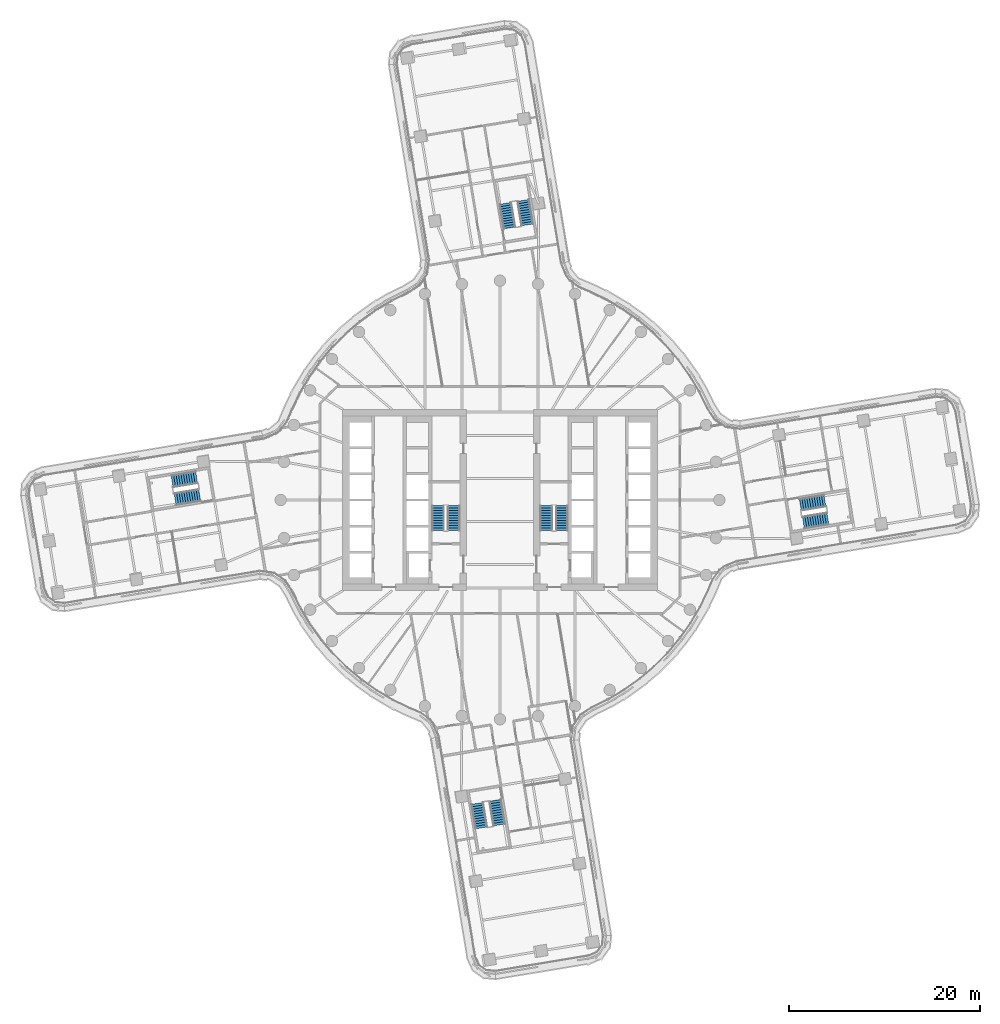
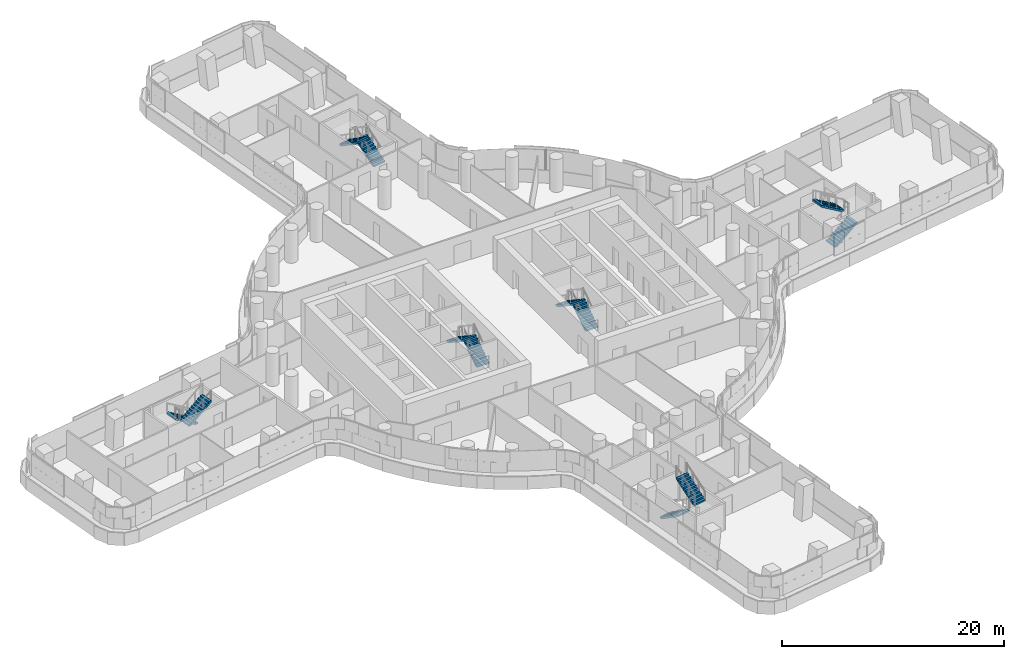
# One storey, part 25 of 32: 12 stair flights, 6 elements without a shape of their own.
"""IFC4 building model written with IfcOpenShell, lengths in metres."""

from ifc_helpers import new_model, si_unit, direction, frame, origin, place, context, subcontext, project, spatial, polyline, outline, extrude, material, type_object, element, aggregate, save


model = new_model("IFC4")

# Units and contexts
model_context = context("Model", 3, precision=1e-05, world=origin(), true_north=direction((0.0, 1.0)))
body_context = subcontext(model_context, "Body", "Model", "MODEL_VIEW")
ifc_project = project(units=[si_unit("LENGTHUNIT", "METRE"), si_unit("AREAUNIT", "SQUARE_METRE"), si_unit("VOLUMEUNIT", "CUBIC_METRE"), si_unit("PLANEANGLEUNIT", "RADIAN"), si_unit("MASSUNIT", "GRAM", prefix="KILO")], contexts=[model_context])

# Site, building, storey
site_placement = place(None, origin())
site = spatial("IfcSite", under=ifc_project, at=site_placement, CompositionType="ELEMENT")
building_placement = place(site_placement, origin())
building = spatial("IfcBuilding", under=site, at=building_placement, Name="Tamarind Cross Interchange Tower", CompositionType="ELEMENT")
storey_placement = place(building_placement, frame((0.0, 0.0, 67.75)))
storey = spatial("IfcBuildingStorey", under=building, at=storey_placement, Name="L15", CompositionType="ELEMENT", Elevation=67.75)

# Stair, stair flights
ifc_material_1 = material(Name="Exit stair")
stair_type = type_object("IfcStairType", Name="Exit stair", PredefinedType="HALF_TURN_STAIR", material=ifc_material_1)
stair_1_placement = place(storey_placement, origin())
stair_1 = element("IfcStair", 1, at=stair_1_placement, inside=storey, type_object=stair_type, Name="L15 exit stair ST1", PredefinedType="HALF_TURN_STAIR")
ifc_material_2 = material(Name="Exit stair flight")
stair_flight_type = type_object("IfcStairFlightType", Name="Exit stair flight", PredefinedType="STRAIGHT", material=ifc_material_2)
stair_flight_1_placement = place(storey_placement, frame((-4.85009765625, -3.199951171875, 0.0), z_axis=(0.0, 0.0, 1.0), x_axis=(0.0, 1.0, 0.0)))
stair_flight_1 = element("IfcStairFlight", 2, at=stair_flight_1_placement, type_object=stair_flight_type, Name="ST1 flight 1", NumberOfRisers=11, NumberOfTreads=10, PredefinedType="STRAIGHT", RiserHeight=0.170454545, TreadLength=0.26, context=body_context, shape_type="SweptSolid", body=[
    extrude(outline(polyline([(0.0, 0.0), (0.0, 0.17041015625), (0.260009765625, 0.17041015625), (0.260009765625, 0.3408203125), (0.52001953125, 0.3408203125), (0.52001953125, 0.511474609375), (0.780029296875, 0.511474609375), (0.780029296875, 0.681884765625), (1.0400390625, 0.681884765625), (1.0400390625, 0.852294921875), (1.300048828125, 0.852294921875), (1.300048828125, 1.022705078125), (1.56005859375, 1.022705078125), (1.56005859375, 1.193115234375), (1.820068359375, 1.193115234375), (1.820068359375, 1.363525390625), (2.080078125, 1.363525390625), (2.080078125, 1.5341796875), (2.340087890625, 1.5341796875), (2.340087890625, 1.70458984375), (2.60009765625, 1.70458984375), (2.60009765625, 1.875), (2.60009765625, 1.525390625), (0.2734375, 0.0), (0.0, 0.0)])), frame((0.0, 0.64990234375, 0.0), z_axis=(0.0, -1.0, 0.0), x_axis=(1.0, 0.0, 0.0)), (0.0, 0.0, 1.0), 1.300048828125),
])
stair_flight_2_placement = place(storey_placement, frame((-6.5, -0.60009765625, 1.875), z_axis=(0.0, 0.0, 1.0), x_axis=(0.0, -1.0, 0.0)))
stair_flight_2 = element("IfcStairFlight", 3, at=stair_flight_2_placement, type_object=stair_flight_type, Name="ST1 flight 2", NumberOfRisers=11, NumberOfTreads=10, PredefinedType="STRAIGHT", RiserHeight=0.170454545, TreadLength=0.26, context=body_context, shape_type="SweptSolid", body=[
    extrude(outline(polyline([(0.0, 0.0), (0.0, 0.17041015625), (0.260009765625, 0.17041015625), (0.260009765625, 0.3408203125), (0.52001953125, 0.3408203125), (0.52001953125, 0.511474609375), (0.780029296875, 0.511474609375), (0.780029296875, 0.681884765625), (1.0400390625, 0.681884765625), (1.0400390625, 0.852294921875), (1.300048828125, 0.852294921875), (1.300048828125, 1.022705078125), (1.56005859375, 1.022705078125), (1.56005859375, 1.193115234375), (1.820068359375, 1.193115234375), (1.820068359375, 1.363525390625), (2.080078125, 1.363525390625), (2.080078125, 1.5341796875), (2.340087890625, 1.5341796875), (2.340087890625, 1.70458984375), (2.60009765625, 1.70458984375), (2.60009765625, 1.7548828125), (2.612060546875, 1.7548828125), (2.612060546875, 1.533203125), (0.2734375, 0.0), (0.0, 0.0)])), frame((0.0, 0.64990234375, 0.0), z_axis=(0.0, -1.0, 0.0), x_axis=(1.0, 0.0, 0.0)), (0.0, 0.0, 1.0), 1.300048828125),
])
aggregate(stair_1, [stair_flight_1, stair_flight_2])

stair_2_placement = place(storey_placement, origin())
stair_2 = element("IfcStair", 4, at=stair_2_placement, inside=storey, type_object=stair_type, Name="L15 exit stair ST2", PredefinedType="HALF_TURN_STAIR")
stair_flight_3_placement = place(storey_placement, frame((6.5, -3.199951171875, 0.0), z_axis=(0.0, 0.0, 1.0), x_axis=(0.0, 1.0, 0.0)))
stair_flight_3 = element("IfcStairFlight", 5, at=stair_flight_3_placement, type_object=stair_flight_type, Name="ST2 flight 1", NumberOfRisers=11, NumberOfTreads=10, PredefinedType="STRAIGHT", RiserHeight=0.170454545, TreadLength=0.26, context=body_context, shape_type="SweptSolid", body=[
    extrude(outline(polyline([(0.0, 0.0), (0.0, 0.17041015625), (0.260009765625, 0.17041015625), (0.260009765625, 0.3408203125), (0.52001953125, 0.3408203125), (0.52001953125, 0.511474609375), (0.780029296875, 0.511474609375), (0.780029296875, 0.681884765625), (1.0400390625, 0.681884765625), (1.0400390625, 0.852294921875), (1.300048828125, 0.852294921875), (1.300048828125, 1.022705078125), (1.56005859375, 1.022705078125), (1.56005859375, 1.193115234375), (1.820068359375, 1.193115234375), (1.820068359375, 1.363525390625), (2.080078125, 1.363525390625), (2.080078125, 1.5341796875), (2.340087890625, 1.5341796875), (2.340087890625, 1.70458984375), (2.60009765625, 1.70458984375), (2.60009765625, 1.875), (2.60009765625, 1.525390625), (0.2734375, 0.0), (0.0, 0.0)])), frame((0.0, 0.64990234375, 0.0), z_axis=(0.0, -1.0, 0.0), x_axis=(1.0, 0.0, 0.0)), (0.0, 0.0, 1.0), 1.300048828125),
])
stair_flight_4_placement = place(storey_placement, frame((4.85009765625, -0.60009765625, 1.875), z_axis=(0.0, 0.0, 1.0), x_axis=(0.0, -1.0, 0.0)))
stair_flight_4 = element("IfcStairFlight", 6, at=stair_flight_4_placement, type_object=stair_flight_type, Name="ST2 flight 2", NumberOfRisers=11, NumberOfTreads=10, PredefinedType="STRAIGHT", RiserHeight=0.170454545, TreadLength=0.26, context=body_context, shape_type="SweptSolid", body=[
    extrude(outline(polyline([(0.0, 0.0), (0.0, 0.17041015625), (0.260009765625, 0.17041015625), (0.260009765625, 0.3408203125), (0.52001953125, 0.3408203125), (0.52001953125, 0.511474609375), (0.780029296875, 0.511474609375), (0.780029296875, 0.681884765625), (1.0400390625, 0.681884765625), (1.0400390625, 0.852294921875), (1.300048828125, 0.852294921875), (1.300048828125, 1.022705078125), (1.56005859375, 1.022705078125), (1.56005859375, 1.193115234375), (1.820068359375, 1.193115234375), (1.820068359375, 1.363525390625), (2.080078125, 1.363525390625), (2.080078125, 1.5341796875), (2.340087890625, 1.5341796875), (2.340087890625, 1.70458984375), (2.60009765625, 1.70458984375), (2.60009765625, 1.7548828125), (2.612060546875, 1.7548828125), (2.612060546875, 1.533203125), (0.2734375, 0.0), (0.0, 0.0)])), frame((0.0, 0.64990234375, 0.0), z_axis=(0.0, -1.0, 0.0), x_axis=(1.0, 0.0, 0.0)), (0.0, 0.0, 1.0), 1.300048828125),
])
aggregate(stair_2, [stair_flight_3, stair_flight_4])

stair_3_placement = place(storey_placement, origin())
stair_3 = element("IfcStair", 7, at=stair_3_placement, inside=storey, type_object=stair_type, Name="L15 exit stair ST3", PredefinedType="HALF_TURN_STAIR")
stair_flight_5_placement = place(storey_placement, frame((31.8203125, -2.37744140625, 0.0), z_axis=(0.0, 0.0, 1.0), x_axis=(0.986563038226, 0.163381062571, 0.0)))
stair_flight_5 = element("IfcStairFlight", 8, at=stair_flight_5_placement, type_object=stair_flight_type, Name="ST3 flight 1", NumberOfRisers=11, NumberOfTreads=10, PredefinedType="STRAIGHT", RiserHeight=0.170454545, TreadLength=0.26, context=body_context, shape_type="SweptSolid", body=[
    extrude(outline(polyline([(0.0, 0.0), (0.0, 0.17041015625), (0.260009765625, 0.17041015625), (0.260009765625, 0.3408203125), (0.52001953125, 0.3408203125), (0.52001953125, 0.511474609375), (0.780029296875, 0.511474609375), (0.780029296875, 0.681884765625), (1.0400390625, 0.681884765625), (1.0400390625, 0.852294921875), (1.300048828125, 0.852294921875), (1.300048828125, 1.022705078125), (1.56005859375, 1.022705078125), (1.56005859375, 1.193115234375), (1.820068359375, 1.193115234375), (1.820068359375, 1.363525390625), (2.080078125, 1.363525390625), (2.080078125, 1.5341796875), (2.340087890625, 1.5341796875), (2.340087890625, 1.70458984375), (2.60009765625, 1.70458984375), (2.60009765625, 1.875), (2.60009765625, 1.525390625), (0.2734375, 0.0), (0.0, 0.0)])), frame((0.0, 0.64990234375, 0.0), z_axis=(0.0, -1.0, 0.0), x_axis=(1.0, 0.0, 0.0)), (0.0, 0.0, 1.0), 1.300048828125),
])
stair_flight_6_placement = place(storey_placement, frame((34.074951171875, -0.078125, 1.875), z_axis=(0.0, 0.0, 1.0), x_axis=(-0.986563038226, -0.163381062571, 0.0)))
stair_flight_6 = element("IfcStairFlight", 9, at=stair_flight_6_placement, type_object=stair_flight_type, Name="ST3 flight 2", NumberOfRisers=11, NumberOfTreads=10, PredefinedType="STRAIGHT", RiserHeight=0.170454545, TreadLength=0.26, context=body_context, shape_type="SweptSolid", body=[
    extrude(outline(polyline([(0.0, 0.0), (0.0, 0.17041015625), (0.260009765625, 0.17041015625), (0.260009765625, 0.3408203125), (0.52001953125, 0.3408203125), (0.52001953125, 0.511474609375), (0.780029296875, 0.511474609375), (0.780029296875, 0.681884765625), (1.0400390625, 0.681884765625), (1.0400390625, 0.852294921875), (1.300048828125, 0.852294921875), (1.300048828125, 1.022705078125), (1.56005859375, 1.022705078125), (1.56005859375, 1.193115234375), (1.820068359375, 1.193115234375), (1.820068359375, 1.363525390625), (2.080078125, 1.363525390625), (2.080078125, 1.5341796875), (2.340087890625, 1.5341796875), (2.340087890625, 1.70458984375), (2.60009765625, 1.70458984375), (2.60009765625, 1.7548828125), (2.612060546875, 1.7548828125), (2.612060546875, 1.533203125), (0.2734375, 0.0), (0.0, 0.0)])), frame((0.0, 0.64990234375, 0.0), z_axis=(0.0, -1.0, 0.0), x_axis=(1.0, 0.0, 0.0)), (0.0, 0.0, 1.0), 1.300048828125),
])
aggregate(stair_3, [stair_flight_5, stair_flight_6])

stair_4_placement = place(storey_placement, origin())
stair_4 = element("IfcStair", 10, at=stair_4_placement, inside=storey, type_object=stair_type, Name="L15 exit stair ST4", PredefinedType="HALF_TURN_STAIR")
stair_flight_7_placement = place(storey_placement, frame((2.86767578125, 28.860595703125, 0.0), z_axis=(0.0, 0.0, 1.0), x_axis=(-0.163381062571, 0.986563038226, 0.0)))
stair_flight_7 = element("IfcStairFlight", 11, at=stair_flight_7_placement, type_object=stair_flight_type, Name="ST4 flight 1", NumberOfRisers=11, NumberOfTreads=10, PredefinedType="STRAIGHT", RiserHeight=0.170454545, TreadLength=0.26, context=body_context, shape_type="SweptSolid", body=[
    extrude(outline(polyline([(0.0, 0.0), (0.0, 0.17041015625), (0.260009765625, 0.17041015625), (0.260009765625, 0.3408203125), (0.52001953125, 0.3408203125), (0.52001953125, 0.511474609375), (0.780029296875, 0.511474609375), (0.780029296875, 0.681884765625), (1.0400390625, 0.681884765625), (1.0400390625, 0.852294921875), (1.300048828125, 0.852294921875), (1.300048828125, 1.022705078125), (1.56005859375, 1.022705078125), (1.56005859375, 1.193115234375), (1.820068359375, 1.193115234375), (1.820068359375, 1.363525390625), (2.080078125, 1.363525390625), (2.080078125, 1.5341796875), (2.340087890625, 1.5341796875), (2.340087890625, 1.70458984375), (2.60009765625, 1.70458984375), (2.60009765625, 1.875), (2.60009765625, 1.525390625), (0.2734375, 0.0), (0.0, 0.0)])), frame((0.0, 0.64990234375, 0.0), z_axis=(0.0, -1.0, 0.0), x_axis=(1.0, 0.0, 0.0)), (0.0, 0.0, 1.0), 1.300048828125),
])
stair_flight_8_placement = place(storey_placement, frame((0.568359375, 31.115234375, 1.875), z_axis=(0.0, 0.0, 1.0), x_axis=(0.163381062571, -0.986563038226, 0.0)))
stair_flight_8 = element("IfcStairFlight", 12, at=stair_flight_8_placement, type_object=stair_flight_type, Name="ST4 flight 2", NumberOfRisers=11, NumberOfTreads=10, PredefinedType="STRAIGHT", RiserHeight=0.170454545, TreadLength=0.26, context=body_context, shape_type="SweptSolid", body=[
    extrude(outline(polyline([(0.0, 0.0), (0.0, 0.17041015625), (0.260009765625, 0.17041015625), (0.260009765625, 0.3408203125), (0.52001953125, 0.3408203125), (0.52001953125, 0.511474609375), (0.780029296875, 0.511474609375), (0.780029296875, 0.681884765625), (1.0400390625, 0.681884765625), (1.0400390625, 0.852294921875), (1.300048828125, 0.852294921875), (1.300048828125, 1.022705078125), (1.56005859375, 1.022705078125), (1.56005859375, 1.193115234375), (1.820068359375, 1.193115234375), (1.820068359375, 1.363525390625), (2.080078125, 1.363525390625), (2.080078125, 1.5341796875), (2.340087890625, 1.5341796875), (2.340087890625, 1.70458984375), (2.60009765625, 1.70458984375), (2.60009765625, 1.7548828125), (2.612060546875, 1.7548828125), (2.612060546875, 1.533203125), (0.2734375, 0.0), (0.0, 0.0)])), frame((0.0, 0.64990234375, 0.0), z_axis=(0.0, -1.0, 0.0), x_axis=(1.0, 0.0, 0.0)), (0.0, 0.0, 1.0), 1.300048828125),
])
aggregate(stair_4, [stair_flight_7, stair_flight_8])

stair_5_placement = place(storey_placement, origin())
stair_5 = element("IfcStair", 13, at=stair_5_placement, inside=storey, type_object=stair_type, Name="L15 exit stair ST5", PredefinedType="HALF_TURN_STAIR")
stair_flight_9_placement = place(storey_placement, frame((-31.8203125, 2.37744140625, 0.0), z_axis=(0.0, 0.0, 1.0), x_axis=(-0.986563038226, -0.163381062571, 0.0)))
stair_flight_9 = element("IfcStairFlight", 14, at=stair_flight_9_placement, type_object=stair_flight_type, Name="ST5 flight 1", NumberOfRisers=11, NumberOfTreads=10, PredefinedType="STRAIGHT", RiserHeight=0.170454545, TreadLength=0.26, context=body_context, shape_type="SweptSolid", body=[
    extrude(outline(polyline([(0.0, 0.0), (0.0, 0.17041015625), (0.260009765625, 0.17041015625), (0.260009765625, 0.3408203125), (0.52001953125, 0.3408203125), (0.52001953125, 0.511474609375), (0.780029296875, 0.511474609375), (0.780029296875, 0.681884765625), (1.0400390625, 0.681884765625), (1.0400390625, 0.852294921875), (1.300048828125, 0.852294921875), (1.300048828125, 1.022705078125), (1.56005859375, 1.022705078125), (1.56005859375, 1.193115234375), (1.820068359375, 1.193115234375), (1.820068359375, 1.363525390625), (2.080078125, 1.363525390625), (2.080078125, 1.5341796875), (2.340087890625, 1.5341796875), (2.340087890625, 1.70458984375), (2.60009765625, 1.70458984375), (2.60009765625, 1.875), (2.60009765625, 1.525390625), (0.2734375, 0.0), (0.0, 0.0)])), frame((0.0, 0.64990234375, 0.0), z_axis=(0.0, -1.0, 0.0), x_axis=(1.0, 0.0, 0.0)), (0.0, 0.0, 1.0), 1.300048828125),
])
stair_flight_10_placement = place(storey_placement, frame((-34.074951171875, 0.078125, 1.875), z_axis=(0.0, 0.0, 1.0), x_axis=(0.986563038226, 0.163381062571, 0.0)))
stair_flight_10 = element("IfcStairFlight", 15, at=stair_flight_10_placement, type_object=stair_flight_type, Name="ST5 flight 2", NumberOfRisers=11, NumberOfTreads=10, PredefinedType="STRAIGHT", RiserHeight=0.170454545, TreadLength=0.26, context=body_context, shape_type="SweptSolid", body=[
    extrude(outline(polyline([(0.0, 0.0), (0.0, 0.17041015625), (0.260009765625, 0.17041015625), (0.260009765625, 0.3408203125), (0.52001953125, 0.3408203125), (0.52001953125, 0.511474609375), (0.780029296875, 0.511474609375), (0.780029296875, 0.681884765625), (1.0400390625, 0.681884765625), (1.0400390625, 0.852294921875), (1.300048828125, 0.852294921875), (1.300048828125, 1.022705078125), (1.56005859375, 1.022705078125), (1.56005859375, 1.193115234375), (1.820068359375, 1.193115234375), (1.820068359375, 1.363525390625), (2.080078125, 1.363525390625), (2.080078125, 1.5341796875), (2.340087890625, 1.5341796875), (2.340087890625, 1.70458984375), (2.60009765625, 1.70458984375), (2.60009765625, 1.7548828125), (2.612060546875, 1.7548828125), (2.612060546875, 1.533203125), (0.2734375, 0.0), (0.0, 0.0)])), frame((0.0, 0.64990234375, 0.0), z_axis=(0.0, -1.0, 0.0), x_axis=(1.0, 0.0, 0.0)), (0.0, 0.0, 1.0), 1.300048828125),
])
aggregate(stair_5, [stair_flight_9, stair_flight_10])

stair_6_placement = place(storey_placement, origin())
stair_6 = element("IfcStair", 16, at=stair_6_placement, inside=storey, type_object=stair_type, Name="L15 exit stair ST6", PredefinedType="HALF_TURN_STAIR")
stair_flight_11_placement = place(storey_placement, frame((-2.37744140625, -31.8203125, 0.0), z_axis=(0.0, 0.0, 1.0), x_axis=(0.163381062571, -0.986563038226, 0.0)))
stair_flight_11 = element("IfcStairFlight", 17, at=stair_flight_11_placement, type_object=stair_flight_type, Name="ST6 flight 1", NumberOfRisers=11, NumberOfTreads=10, PredefinedType="STRAIGHT", RiserHeight=0.170454545, TreadLength=0.26, context=body_context, shape_type="SweptSolid", body=[
    extrude(outline(polyline([(0.0, 0.0), (0.0, 0.17041015625), (0.260009765625, 0.17041015625), (0.260009765625, 0.3408203125), (0.52001953125, 0.3408203125), (0.52001953125, 0.511474609375), (0.780029296875, 0.511474609375), (0.780029296875, 0.681884765625), (1.0400390625, 0.681884765625), (1.0400390625, 0.852294921875), (1.300048828125, 0.852294921875), (1.300048828125, 1.022705078125), (1.56005859375, 1.022705078125), (1.56005859375, 1.193115234375), (1.820068359375, 1.193115234375), (1.820068359375, 1.363525390625), (2.080078125, 1.363525390625), (2.080078125, 1.5341796875), (2.340087890625, 1.5341796875), (2.340087890625, 1.70458984375), (2.60009765625, 1.70458984375), (2.60009765625, 1.875), (2.60009765625, 1.525390625), (0.2734375, 0.0), (0.0, 0.0)])), frame((0.0, 0.64990234375, 0.0), z_axis=(0.0, -1.0, 0.0), x_axis=(1.0, 0.0, 0.0)), (0.0, 0.0, 1.0), 1.300048828125),
])
stair_flight_12_placement = place(storey_placement, frame((-0.078125, -34.074951171875, 1.875), z_axis=(0.0, 0.0, 1.0), x_axis=(-0.163381062571, 0.986563038226, 0.0)))
stair_flight_12 = element("IfcStairFlight", 18, at=stair_flight_12_placement, type_object=stair_flight_type, Name="ST6 flight 2", NumberOfRisers=11, NumberOfTreads=10, PredefinedType="STRAIGHT", RiserHeight=0.170454545, TreadLength=0.26, context=body_context, shape_type="SweptSolid", body=[
    extrude(outline(polyline([(0.0, 0.0), (0.0, 0.17041015625), (0.260009765625, 0.17041015625), (0.260009765625, 0.3408203125), (0.52001953125, 0.3408203125), (0.52001953125, 0.511474609375), (0.780029296875, 0.511474609375), (0.780029296875, 0.681884765625), (1.0400390625, 0.681884765625), (1.0400390625, 0.852294921875), (1.300048828125, 0.852294921875), (1.300048828125, 1.022705078125), (1.56005859375, 1.022705078125), (1.56005859375, 1.193115234375), (1.820068359375, 1.193115234375), (1.820068359375, 1.363525390625), (2.080078125, 1.363525390625), (2.080078125, 1.5341796875), (2.340087890625, 1.5341796875), (2.340087890625, 1.70458984375), (2.60009765625, 1.70458984375), (2.60009765625, 1.7548828125), (2.612060546875, 1.7548828125), (2.612060546875, 1.533203125), (0.2734375, 0.0), (0.0, 0.0)])), frame((0.0, 0.64990234375, 0.0), z_axis=(0.0, -1.0, 0.0), x_axis=(1.0, 0.0, 0.0)), (0.0, 0.0, 1.0), 1.300048828125),
])
aggregate(stair_6, [stair_flight_11, stair_flight_12])

save(model, "model.ifc")
